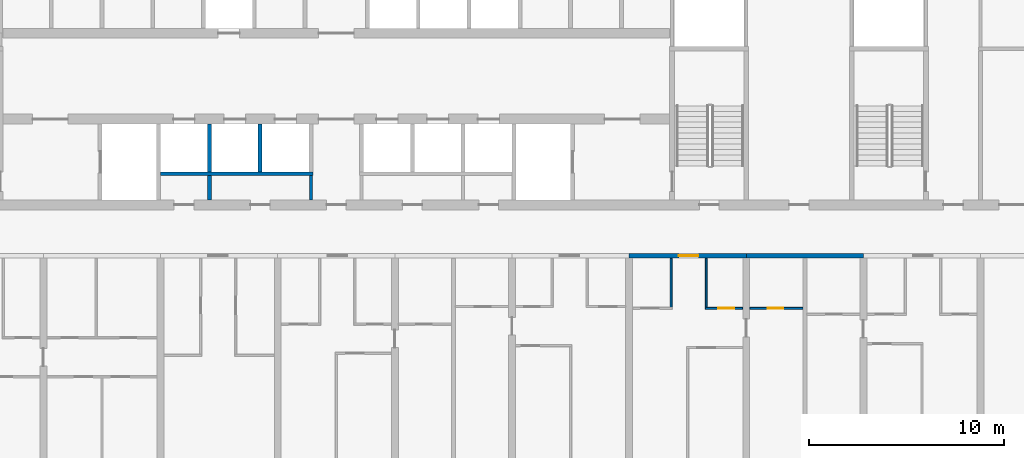
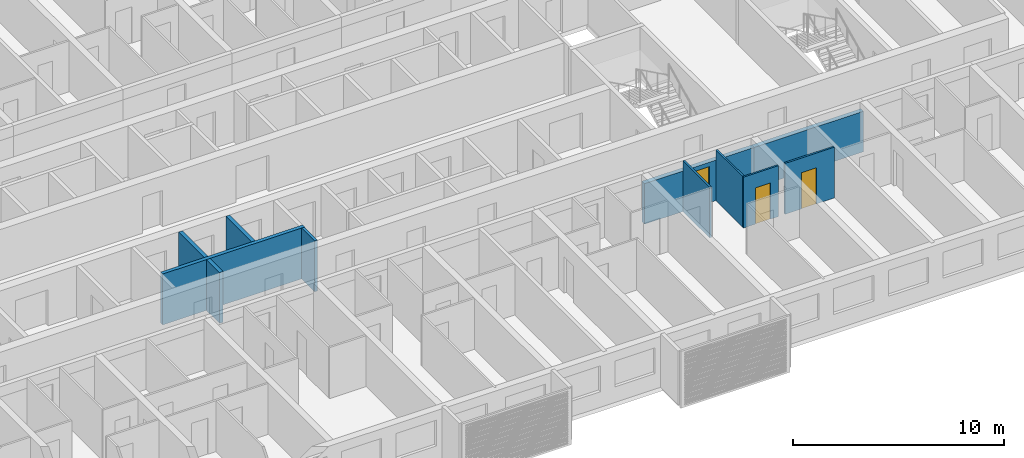
# One storey, part 6 of 24: 11 walls, 3 doors, 3 openings.
"""IFC4 building model written with IfcOpenShell, lengths in metres."""

from ifc_helpers import new_model, si_unit, direction, frame, frame_2d, origin, place, context, subcontext, project, spatial, rectangle, extrude, material, layer, layer_set, type_object, element, fill, save


model = new_model("IFC4")

# Units and contexts
model_context = context("Model", 3, precision=1e-05, world=origin(), true_north=direction((0.0, 1.0)))
body_context = subcontext(model_context, "Body", "Model", "MODEL_VIEW")
ifc_project = project(units=[si_unit("LENGTHUNIT", "METRE"), si_unit("AREAUNIT", "SQUARE_METRE"), si_unit("VOLUMEUNIT", "CUBIC_METRE"), si_unit("PLANEANGLEUNIT", "RADIAN"), si_unit("MASSUNIT", "GRAM", prefix="KILO")], contexts=[model_context])

# Site, building, storey
site_placement = place(None, origin())
site = spatial("IfcSite", under=ifc_project, at=site_placement, CompositionType="ELEMENT")
building_placement = place(site_placement, origin())
building = spatial("IfcBuilding", under=site, at=building_placement, Name="Poui Terraces", CompositionType="ELEMENT")
storey_placement = place(building_placement, frame((0.0, 0.0, 112.5)))
storey = spatial("IfcBuildingStorey", under=building, at=storey_placement, Name="L31", CompositionType="ELEMENT", Elevation=112.5)

# Wall
ifc_material_1 = material(Name="Fire-rated plasterboard wall")
ifc_layer_1 = layer(ifc_material_1, 0.14990234375)
ifc_layer_set_1 = layer_set([ifc_layer_1], Name="Fire-rated plasterboard wall")
wall_type_1 = type_object("IfcWallType", Name="CORRIDOR WALL 150", PredefinedType="PARTITIONING", material=ifc_layer_set_1)
wall_1_placement = place(storey_placement, frame((49.699951171875, 14.860107421875, 0.0), z_axis=(0.0, 0.0, 1.0), x_axis=(0.0, 1.0, 0.0)))
element("IfcWall", 1, at=wall_1_placement, inside=storey, type_object=wall_type_1, Name="CORRIDOR WALL 150", PredefinedType="PARTITIONING", context=body_context, shape_type="SweptSolid", body=[
    extrude(rectangle(XDim=1.239990234375, YDim=0.14990234375, at=frame_2d((0.6201171875, 0.0))), origin(), (0.0, 0.0, 1.0), 2.949951171875),
])

# Wall, opening, door
ifc_material_2 = material(Name="Concrete 65 MPa", Category="concrete")
ifc_layer_2 = layer(ifc_material_2, 0.25)
ifc_layer_set_2 = layer_set([ifc_layer_2], Name="Concrete 65 MPa")
wall_type_2 = type_object("IfcWallType", Name="CORRIDOR WALL 250 65MPa", PredefinedType="SHEAR", material=ifc_layer_set_2)
wall_2_placement = place(storey_placement, frame((66.0, 12.0, 0.0), z_axis=(0.0, 0.0, 1.0), x_axis=(1.0, 0.0, 0.0)))
wall_2 = element("IfcWall", 2, at=wall_2_placement, inside=storey, type_object=wall_type_2, Name="CORRIDOR WALL LINE B BAY 10", PredefinedType="SHEAR", context=body_context, shape_type="SweptSolid", body=[
    extrude(rectangle(XDim=6.0, YDim=0.25, at=frame_2d((3.0, 0.0))), origin(), (0.0, 0.0, 1.0), 2.35009765625),
])
opening_1_placement = place(wall_2_placement, frame((2.550048828125, 0.0, 0.0)))
opening_1 = element("IfcOpeningElement", 3, at=opening_1_placement, cuts=wall_2, Name="Opening FD30S", PredefinedType="OPENING", context=body_context, shape_type="SweptSolid", body=[
    extrude(rectangle(XDim=1.0, YDim=2.10009765625, at=frame_2d((0.5, 1.050048828125))), frame((0.0, 0.135009765625, 0.0), z_axis=(0.0, -1.0, 0.0), x_axis=(1.0, 0.0, 0.0)), (0.0, 0.0, 1.0), 0.27001953125),
])
ifc_material_3 = material(Name="Steel fire door", Category="steel")
door_type_1 = type_object("IfcDoorType", Name="FLAT ENTRANCE DOOR 1000 X 2100", OperationType="NOTDEFINED", PredefinedType="DOOR", material=ifc_material_3)
door_1_placement = place(opening_1_placement, frame((1.0, 0.0, 0.0), z_axis=(0.0, 0.0, 1.0), x_axis=(-1.0, 0.0, 0.0)))
door_1 = element("IfcDoor", 4, at=door_1_placement, inside=storey, type_object=door_type_1, Name="FLAT ENTRANCE DOOR 109", OperationType="SINGLE_SWING_LEFT", OverallHeight=2.10009765625, OverallWidth=1.0, PredefinedType="DOOR", context=body_context, shape_type="SweptSolid", body=[
    extrude(rectangle(XDim=1.0, YDim=2.10009765625, at=frame_2d((0.5, 1.050048828125))), frame((0.0, 0.02490234375, 0.0), z_axis=(0.0, -1.0, 0.0), x_axis=(1.0, 0.0, 0.0)), (0.0, 0.0, 1.0), 0.050048828125),
])
fill(opening_1, door_1)

# Wall
wall_3_placement = place(storey_placement, frame((72.0, 12.0, 0.0), z_axis=(0.0, 0.0, 1.0), x_axis=(1.0, 0.0, 0.0)))
element("IfcWall", 5, at=wall_3_placement, inside=storey, type_object=wall_type_2, Name="CORRIDOR WALL LINE B BAY 11", PredefinedType="SHEAR", context=body_context, shape_type="SweptSolid", body=[
    extrude(rectangle(XDim=6.0, YDim=0.25, at=frame_2d((3.0, 0.0))), origin(), (0.0, 0.0, 1.0), 2.35009765625),
])

# Wall, opening, door
ifc_material_4 = material(Name="Plasterboard partition")
ifc_layer_3 = layer(ifc_material_4, 0.10009765625)
ifc_layer_set_3 = layer_set([ifc_layer_3], Name="Plasterboard partition")
wall_type_3 = type_object("IfcWallType", Name="FLAT PARTITION 100", PredefinedType="PARTITIONING", material=ifc_layer_set_3)
wall_4_placement = place(storey_placement, frame((69.89990234375, 9.300048828125, 0.0), z_axis=(0.0, 0.0, 1.0), x_axis=(1.0, 0.0, 0.0)))
wall_4 = element("IfcWall", 6, at=wall_4_placement, inside=storey, type_object=wall_type_3, Name="FLAT PARTITION 100", PredefinedType="PARTITIONING", context=body_context, shape_type="SweptSolid", body=[
    extrude(rectangle(XDim=1.9150390625, YDim=0.10009765625, at=frame_2d((0.95751953125, 0.0))), origin(), (0.0, 0.0, 1.0), 2.949951171875),
])
opening_2_placement = place(wall_4_placement, frame((0.675048828125, 0.0, 0.0)))
opening_2 = element("IfcOpeningElement", 7, at=opening_2_placement, cuts=wall_4, Name="Opening D80", PredefinedType="OPENING", context=body_context, shape_type="SweptSolid", body=[
    extrude(rectangle(XDim=0.800048828125, YDim=2.10009765625, at=frame_2d((0.39990234375, 1.050048828125))), frame((0.0, 0.06005859375, 0.0), z_axis=(0.0, -1.0, 0.0), x_axis=(1.0, 0.0, 0.0)), (0.0, 0.0, 1.0), 0.1201171875),
])
ifc_material_5 = material(Name="Solid core timber door", Category="wood")
door_type_2 = type_object("IfcDoorType", Name="BATHROOM, LAUNDRY AND STORE DOOR 800 X 2100", OperationType="NOTDEFINED", PredefinedType="DOOR", material=ifc_material_5)
door_2_placement = place(opening_2_placement, origin())
door_2 = element("IfcDoor", 8, at=door_2_placement, inside=storey, type_object=door_type_2, Name="BATHROOM, LAUNDRY AND STORE DOOR 111", OperationType="SINGLE_SWING_LEFT", OverallHeight=2.10009765625, OverallWidth=0.800048828125, PredefinedType="DOOR", context=body_context, shape_type="SweptSolid", body=[
    extrude(rectangle(XDim=0.800048828125, YDim=2.10009765625, at=frame_2d((0.39990234375, 1.050048828125))), frame((0.0, 0.02490234375, 0.0), z_axis=(0.0, -1.0, 0.0), x_axis=(1.0, 0.0, 0.0)), (0.0, 0.0, 1.0), 0.050048828125),
])
fill(opening_2, door_2)

wall_5_placement = place(storey_placement, frame((72.18505859375, 9.300048828125, 0.0), z_axis=(0.0, 0.0, 1.0), x_axis=(1.0, 0.0, 0.0)))
wall_5 = element("IfcWall", 9, at=wall_5_placement, inside=storey, type_object=wall_type_3, Name="FLAT PARTITION 100", PredefinedType="PARTITIONING", context=body_context, shape_type="SweptSolid", body=[
    extrude(rectangle(XDim=2.71484375, YDim=0.10009765625, at=frame_2d((1.357421875, 0.0))), origin(), (0.0, 0.0, 1.0), 2.949951171875),
])
opening_3_placement = place(wall_5_placement, frame((0.9150390625, 0.0, 0.0)))
opening_3 = element("IfcOpeningElement", 10, at=opening_3_placement, cuts=wall_5, Name="Opening D80", PredefinedType="OPENING", context=body_context, shape_type="SweptSolid", body=[
    extrude(rectangle(XDim=0.800048828125, YDim=2.10009765625, at=frame_2d((0.39990234375, 1.050048828125))), frame((0.0, 0.06005859375, 0.0), z_axis=(0.0, -1.0, 0.0), x_axis=(1.0, 0.0, 0.0)), (0.0, 0.0, 1.0), 0.1201171875),
])
door_3_placement = place(opening_3_placement, origin())
door_3 = element("IfcDoor", 11, at=door_3_placement, inside=storey, type_object=door_type_2, Name="BATHROOM, LAUNDRY AND STORE DOOR 107", OperationType="SINGLE_SWING_RIGHT", OverallHeight=2.10009765625, OverallWidth=0.800048828125, PredefinedType="DOOR", context=body_context, shape_type="SweptSolid", body=[
    extrude(rectangle(XDim=0.800048828125, YDim=2.10009765625, at=frame_2d((0.39990234375, 1.050048828125))), frame((0.0, 0.02490234375, 0.0), z_axis=(0.0, -1.0, 0.0), x_axis=(1.0, 0.0, 0.0)), (0.0, 0.0, 1.0), 0.050048828125),
])
fill(opening_3, door_3)

# Walls
for number, where, z_axis, x_axis, name in (
    (12, (68.14990234375, 9.35009765625, 0.0), (0.0, 0.0, 1.0), (0.0, 1.0, 0.0), "FLAT PARTITION 100"),
    (13, (69.949951171875, 9.35009765625, 0.0), (0.0, 0.0, 1.0), (0.0, 1.0, 0.0), "FLAT PARTITION 100"),
):
    element("IfcWall", number, at=place(storey_placement, frame(where, z_axis=z_axis, x_axis=x_axis)), inside=storey, type_object=wall_type_3, Name=name, PredefinedType="PARTITIONING", context=body_context, shape_type="SweptSolid", body=[
        extrude(rectangle(XDim=2.514892578125, YDim=0.10009765625, at=frame_2d((1.25732421875, 0.0))), origin(), (0.0, 0.0, 1.0), 2.949951171875),
    ])
ifc_material_6 = material(Name="Fire-rated masonry wall", Category="masonry")
ifc_layer_4 = layer(ifc_material_6, 0.199951171875)
ifc_layer_set_4 = layer_set([ifc_layer_4], Name="Fire-rated masonry wall")
wall_type_4 = type_object("IfcWallType", Name="PLANT ROOM WALL 200", PredefinedType="PARTITIONING", material=ifc_layer_set_4)
wall_6_placement = place(storey_placement, frame((44.5, 14.860107421875, 0.0), z_axis=(0.0, 0.0, 1.0), x_axis=(0.0, 1.0, 0.0)))
element("IfcWall", 14, at=wall_6_placement, inside=storey, type_object=wall_type_4, Name="PLANT ROOM WALL 200", PredefinedType="PARTITIONING", context=body_context, shape_type="SweptSolid", body=[
    extrude(rectangle(XDim=1.239990234375, YDim=0.199951171875, at=frame_2d((0.6201171875, 0.0))), origin(), (0.0, 0.0, 1.0), 2.949951171875),
])
ifc_material_7 = material(Name="Fire-rated masonry shaft wall", Category="masonry")
ifc_layer_5 = layer(ifc_material_7, 0.199951171875)
ifc_layer_set_5 = layer_set([ifc_layer_5], Name="Fire-rated masonry shaft wall")
wall_type_5 = type_object("IfcWallType", Name="SHAFT WALL 200", PredefinedType="PARTITIONING", material=ifc_layer_set_5)
wall_7_placement = place(storey_placement, frame((42.0, 16.199951171875, 0.0), z_axis=(0.0, 0.0, 1.0), x_axis=(1.0, 0.0, 0.0)))
element("IfcWall", 15, at=wall_7_placement, inside=storey, type_object=wall_type_5, Name="SHAFT WALL 200", PredefinedType="PARTITIONING", context=body_context, shape_type="SweptSolid", body=[
    extrude(rectangle(XDim=7.800048828125, YDim=0.199951171875, at=frame_2d((3.89990234375, 0.0))), origin(), (0.0, 0.0, 1.0), 2.949951171875),
])
for number, where, z_axis, x_axis, name in (
    (16, (44.5, 16.300048828125, 0.0), (0.0, 0.0, 1.0), (0.0, 1.0, 0.0), "SHAFT WALL 200"),
    (17, (47.10009765625, 16.300048828125, 0.0), (0.0, 0.0, 1.0), (0.0, 1.0, 0.0), "SHAFT WALL 200"),
):
    element("IfcWall", number, at=place(storey_placement, frame(where, z_axis=z_axis, x_axis=x_axis)), inside=storey, type_object=wall_type_5, Name=name, PredefinedType="PARTITIONING", context=body_context, shape_type="SweptSolid", body=[
        extrude(rectangle(XDim=2.43994140625, YDim=0.199951171875, at=frame_2d((1.219970703125, 0.0))), origin(), (0.0, 0.0, 1.0), 2.949951171875),
    ])

save(model, "model.ifc")
